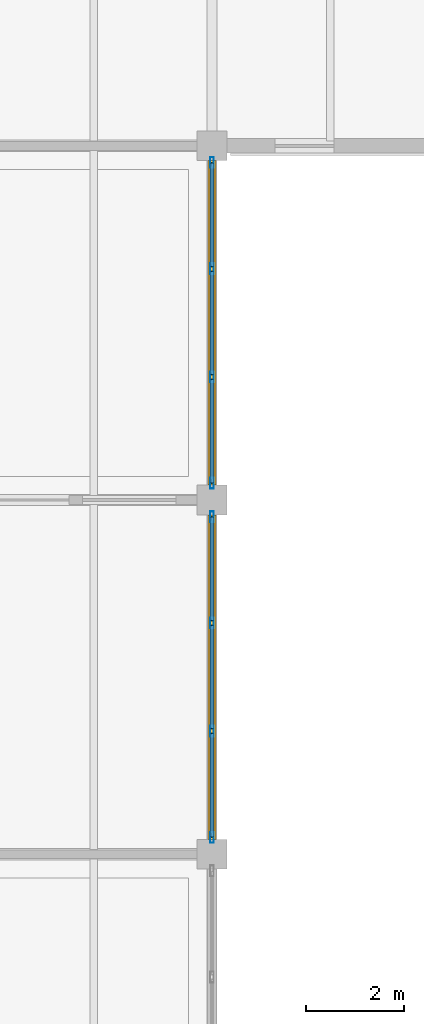
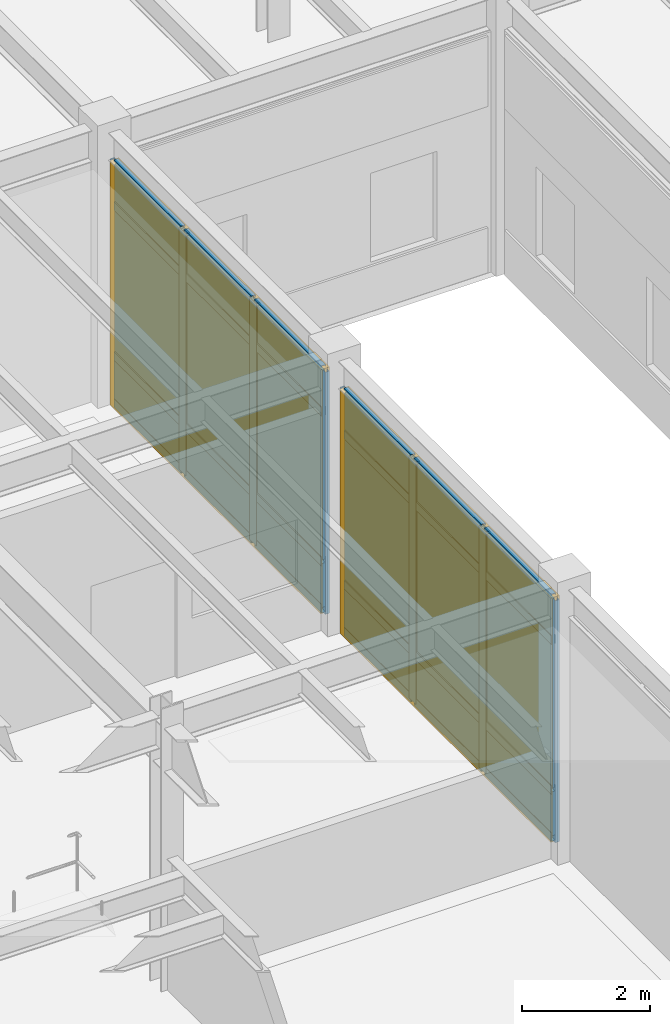
# One storey, part 57 of 97: 32 members, 12 plates, 2 curtain walls.
"""IFC4 building model written with IfcOpenShell, lengths in metres."""

from ifc_helpers import new_model, si_unit, direction, frame, origin, origin_2d, place, context, subcontext, project, spatial, rectangle, hollow_rectangle, extrude, material, layer, layer_set, material_profile, profile_set, type_object, element, aggregate, save


model = new_model("IFC4")

# Units and contexts
model_context = context("Model", 3, precision=1e-05, world=origin(), true_north=direction((0.0, 1.0)))
body_context = subcontext(model_context, "Body", "Model", "MODEL_VIEW")
ifc_project = project(units=[si_unit("LENGTHUNIT", "METRE"), si_unit("AREAUNIT", "SQUARE_METRE"), si_unit("VOLUMEUNIT", "CUBIC_METRE"), si_unit("PLANEANGLEUNIT", "RADIAN"), si_unit("MASSUNIT", "GRAM", prefix="KILO")], contexts=[model_context])

# Member
ifc_material_1 = material(Name="Anodized Aluminium 6063-T6", Category="aluminium")
ifc_material_profile_1 = material_profile(ifc_material_1, hollow_rectangle(XDim=0.074951171875, YDim=0.219970703125, WallThickness=0.0048828125, at=origin_2d()), Name="ALU 75x220x5")
ifc_profile_set_1 = profile_set([ifc_material_profile_1], Name="Anodized Aluminium 6063-T6")
member_type_1 = type_object("IfcMemberType", Name="CWM-75X180", PredefinedType="MULLION", material=ifc_profile_set_1)
site_placement = place(None, origin())
building_placement = place(site_placement, origin())
storey_placement = place(building_placement, origin())
member_1_placement = place(storey_placement, frame((115.199951171875, 21.260009765625, 0.02001953125), z_axis=(0.0, 0.0, 1.0), x_axis=(1.0, 0.0, 0.0)))
member_1 = element("IfcMember", 1, at=member_1_placement, type_object=member_type_1, Name="Curtain wall mullion CW-L01-15-02-E-00", PredefinedType="MULLION", context=body_context, shape_type="SweptSolid", body=[
    extrude(hollow_rectangle(XDim=0.074951171875, YDim=0.219970703125, WallThickness=0.0048828125, at=origin_2d()), origin(), (0.0, 0.0, 1.0), 4.626953125),
])

member_2_placement = place(storey_placement, frame((115.199951171875, 19.10009765625, 0.02001953125), z_axis=(0.0, 0.0, 1.0), x_axis=(1.0, 0.0, 0.0)))
member_2 = element("IfcMember", 2, at=member_2_placement, type_object=member_type_1, Name="Curtain wall mullion CW-L01-15-02-E-01", PredefinedType="MULLION", context=body_context, shape_type="SweptSolid", body=[
    extrude(hollow_rectangle(XDim=0.074951171875, YDim=0.219970703125, WallThickness=0.0048828125, at=origin_2d()), origin(), (0.0, 0.0, 1.0), 4.626953125),
])

member_3_placement = place(storey_placement, frame((115.199951171875, 16.89990234375, 0.02001953125), z_axis=(0.0, 0.0, 1.0), x_axis=(1.0, 0.0, 0.0)))
member_3 = element("IfcMember", 3, at=member_3_placement, type_object=member_type_1, Name="Curtain wall mullion CW-L01-15-02-E-02", PredefinedType="MULLION", context=body_context, shape_type="SweptSolid", body=[
    extrude(hollow_rectangle(XDim=0.074951171875, YDim=0.219970703125, WallThickness=0.0048828125, at=origin_2d()), origin(), (0.0, 0.0, 1.0), 4.626953125),
])

member_4_placement = place(storey_placement, frame((115.199951171875, 14.739990234375, 0.02001953125), z_axis=(0.0, 0.0, 1.0), x_axis=(1.0, 0.0, 0.0)))
member_4 = element("IfcMember", 4, at=member_4_placement, type_object=member_type_1, Name="Curtain wall mullion CW-L01-15-02-E-03", PredefinedType="MULLION", context=body_context, shape_type="SweptSolid", body=[
    extrude(hollow_rectangle(XDim=0.074951171875, YDim=0.219970703125, WallThickness=0.0048828125, at=origin_2d()), origin(), (0.0, 0.0, 1.0), 4.626953125),
])

member_5_placement = place(storey_placement, frame((115.199951171875, 28.4599609375, 0.02001953125), z_axis=(0.0, 0.0, 1.0), x_axis=(1.0, 0.0, 0.0)))
member_5 = element("IfcMember", 5, at=member_5_placement, type_object=member_type_1, Name="Curtain wall mullion CW-L01-15-03-E-00", PredefinedType="MULLION", context=body_context, shape_type="SweptSolid", body=[
    extrude(hollow_rectangle(XDim=0.074951171875, YDim=0.219970703125, WallThickness=0.0048828125, at=origin_2d()), origin(), (0.0, 0.0, 1.0), 4.626953125),
])

member_6_placement = place(storey_placement, frame((115.199951171875, 26.300048828125, 0.02001953125), z_axis=(0.0, 0.0, 1.0), x_axis=(1.0, 0.0, 0.0)))
member_6 = element("IfcMember", 6, at=member_6_placement, type_object=member_type_1, Name="Curtain wall mullion CW-L01-15-03-E-01", PredefinedType="MULLION", context=body_context, shape_type="SweptSolid", body=[
    extrude(hollow_rectangle(XDim=0.074951171875, YDim=0.219970703125, WallThickness=0.0048828125, at=origin_2d()), origin(), (0.0, 0.0, 1.0), 4.626953125),
])

member_7_placement = place(storey_placement, frame((115.199951171875, 24.10009765625, 0.02001953125), z_axis=(0.0, 0.0, 1.0), x_axis=(1.0, 0.0, 0.0)))
member_7 = element("IfcMember", 7, at=member_7_placement, type_object=member_type_1, Name="Curtain wall mullion CW-L01-15-03-E-02", PredefinedType="MULLION", context=body_context, shape_type="SweptSolid", body=[
    extrude(hollow_rectangle(XDim=0.074951171875, YDim=0.219970703125, WallThickness=0.0048828125, at=origin_2d()), origin(), (0.0, 0.0, 1.0), 4.626953125),
])

member_8_placement = place(storey_placement, frame((115.199951171875, 21.93994140625, 0.02001953125), z_axis=(0.0, 0.0, 1.0), x_axis=(1.0, 0.0, 0.0)))
member_8 = element("IfcMember", 8, at=member_8_placement, type_object=member_type_1, Name="Curtain wall mullion CW-L01-15-03-E-03", PredefinedType="MULLION", context=body_context, shape_type="SweptSolid", body=[
    extrude(hollow_rectangle(XDim=0.074951171875, YDim=0.219970703125, WallThickness=0.0048828125, at=origin_2d()), origin(), (0.0, 0.0, 1.0), 4.626953125),
])

ifc_material_profile_2 = material_profile(ifc_material_1, hollow_rectangle(XDim=0.074951171875, YDim=0.159912109375, WallThickness=0.00390625, at=origin_2d()), Name="ALU 75x160x4")
ifc_profile_set_2 = profile_set([ifc_material_profile_2], Name="Anodized Aluminium 6063-T6")
member_type_2 = type_object("IfcMemberType", Name="CWT-75X150", PredefinedType="USERDEFINED", material=ifc_profile_set_2)
member_9_placement = place(storey_placement, frame((115.199951171875, 21.25, 0.050048828125), z_axis=(0.0, -1.0, 0.0), x_axis=(1.0, 0.0, 0.0)))
member_9 = element("IfcMember", 9, at=member_9_placement, type_object=member_type_2, Name="Curtain wall transom CW-L01-15-02-E-1.01", ObjectType="TRANSOM", PredefinedType="USERDEFINED", context=body_context, shape_type="SweptSolid", body=[
    extrude(hollow_rectangle(XDim=0.074951171875, YDim=0.159912109375, WallThickness=0.00390625, at=origin_2d()), origin(), (0.0, 0.0, 1.0), 2.10009765625),
])

member_10_placement = place(storey_placement, frame((115.199951171875, 19.050048828125, 0.050048828125), z_axis=(0.0, -1.0, 0.0), x_axis=(1.0, 0.0, 0.0)))
member_10 = element("IfcMember", 10, at=member_10_placement, type_object=member_type_2, Name="Curtain wall transom CW-L01-15-02-E-1.02", ObjectType="TRANSOM", PredefinedType="USERDEFINED", context=body_context, shape_type="SweptSolid", body=[
    extrude(hollow_rectangle(XDim=0.074951171875, YDim=0.159912109375, WallThickness=0.00390625, at=origin_2d()), origin(), (0.0, 0.0, 1.0), 2.10009765625),
])

member_11_placement = place(storey_placement, frame((115.199951171875, 16.85009765625, 0.050048828125), z_axis=(0.0, -1.0, 0.0), x_axis=(1.0, 0.0, 0.0)))
member_11 = element("IfcMember", 11, at=member_11_placement, type_object=member_type_2, Name="Curtain wall transom CW-L01-15-02-E-1.03", ObjectType="TRANSOM", PredefinedType="USERDEFINED", context=body_context, shape_type="SweptSolid", body=[
    extrude(hollow_rectangle(XDim=0.074951171875, YDim=0.159912109375, WallThickness=0.00390625, at=origin_2d()), origin(), (0.0, 0.0, 1.0), 2.10009765625),
])

member_12_placement = place(storey_placement, frame((115.199951171875, 21.25, 0.949951171875), z_axis=(0.0, -1.0, 0.0), x_axis=(1.0, 0.0, 0.0)))
member_12 = element("IfcMember", 12, at=member_12_placement, type_object=member_type_2, Name="Curtain wall transom CW-L01-15-02-E-2.01", ObjectType="TRANSOM", PredefinedType="USERDEFINED", context=body_context, shape_type="SweptSolid", body=[
    extrude(hollow_rectangle(XDim=0.074951171875, YDim=0.159912109375, WallThickness=0.00390625, at=origin_2d()), origin(), (0.0, 0.0, 1.0), 2.10009765625),
])

member_13_placement = place(storey_placement, frame((115.199951171875, 19.050048828125, 0.949951171875), z_axis=(0.0, -1.0, 0.0), x_axis=(1.0, 0.0, 0.0)))
member_13 = element("IfcMember", 13, at=member_13_placement, type_object=member_type_2, Name="Curtain wall transom CW-L01-15-02-E-2.02", ObjectType="TRANSOM", PredefinedType="USERDEFINED", context=body_context, shape_type="SweptSolid", body=[
    extrude(hollow_rectangle(XDim=0.074951171875, YDim=0.159912109375, WallThickness=0.00390625, at=origin_2d()), origin(), (0.0, 0.0, 1.0), 2.10009765625),
])

member_14_placement = place(storey_placement, frame((115.199951171875, 16.85009765625, 0.949951171875), z_axis=(0.0, -1.0, 0.0), x_axis=(1.0, 0.0, 0.0)))
member_14 = element("IfcMember", 14, at=member_14_placement, type_object=member_type_2, Name="Curtain wall transom CW-L01-15-02-E-2.03", ObjectType="TRANSOM", PredefinedType="USERDEFINED", context=body_context, shape_type="SweptSolid", body=[
    extrude(hollow_rectangle(XDim=0.074951171875, YDim=0.159912109375, WallThickness=0.00390625, at=origin_2d()), origin(), (0.0, 0.0, 1.0), 2.10009765625),
])

member_15_placement = place(storey_placement, frame((115.199951171875, 21.25, 3.81689453125), z_axis=(0.0, -1.0, 0.0), x_axis=(1.0, 0.0, 0.0)))
member_15 = element("IfcMember", 15, at=member_15_placement, type_object=member_type_2, Name="Curtain wall transom CW-L01-15-02-E-3.01", ObjectType="TRANSOM", PredefinedType="USERDEFINED", context=body_context, shape_type="SweptSolid", body=[
    extrude(hollow_rectangle(XDim=0.074951171875, YDim=0.159912109375, WallThickness=0.00390625, at=origin_2d()), origin(), (0.0, 0.0, 1.0), 2.10009765625),
])

member_16_placement = place(storey_placement, frame((115.199951171875, 19.050048828125, 3.81689453125), z_axis=(0.0, -1.0, 0.0), x_axis=(1.0, 0.0, 0.0)))
member_16 = element("IfcMember", 16, at=member_16_placement, type_object=member_type_2, Name="Curtain wall transom CW-L01-15-02-E-3.02", ObjectType="TRANSOM", PredefinedType="USERDEFINED", context=body_context, shape_type="SweptSolid", body=[
    extrude(hollow_rectangle(XDim=0.074951171875, YDim=0.159912109375, WallThickness=0.00390625, at=origin_2d()), origin(), (0.0, 0.0, 1.0), 2.10009765625),
])

member_17_placement = place(storey_placement, frame((115.199951171875, 16.85009765625, 3.81689453125), z_axis=(0.0, -1.0, 0.0), x_axis=(1.0, 0.0, 0.0)))
member_17 = element("IfcMember", 17, at=member_17_placement, type_object=member_type_2, Name="Curtain wall transom CW-L01-15-02-E-3.03", ObjectType="TRANSOM", PredefinedType="USERDEFINED", context=body_context, shape_type="SweptSolid", body=[
    extrude(hollow_rectangle(XDim=0.074951171875, YDim=0.159912109375, WallThickness=0.00390625, at=origin_2d()), origin(), (0.0, 0.0, 1.0), 2.10009765625),
])

member_18_placement = place(storey_placement, frame((115.199951171875, 21.25, 4.616943359375), z_axis=(0.0, -1.0, 0.0), x_axis=(1.0, 0.0, 0.0)))
member_18 = element("IfcMember", 18, at=member_18_placement, type_object=member_type_2, Name="Curtain wall transom CW-L01-15-02-E-4.01", ObjectType="TRANSOM", PredefinedType="USERDEFINED", context=body_context, shape_type="SweptSolid", body=[
    extrude(hollow_rectangle(XDim=0.074951171875, YDim=0.159912109375, WallThickness=0.00390625, at=origin_2d()), origin(), (0.0, 0.0, 1.0), 2.10009765625),
])

member_19_placement = place(storey_placement, frame((115.199951171875, 19.050048828125, 4.616943359375), z_axis=(0.0, -1.0, 0.0), x_axis=(1.0, 0.0, 0.0)))
member_19 = element("IfcMember", 19, at=member_19_placement, type_object=member_type_2, Name="Curtain wall transom CW-L01-15-02-E-4.02", ObjectType="TRANSOM", PredefinedType="USERDEFINED", context=body_context, shape_type="SweptSolid", body=[
    extrude(hollow_rectangle(XDim=0.074951171875, YDim=0.159912109375, WallThickness=0.00390625, at=origin_2d()), origin(), (0.0, 0.0, 1.0), 2.10009765625),
])

member_20_placement = place(storey_placement, frame((115.199951171875, 16.85009765625, 4.616943359375), z_axis=(0.0, -1.0, 0.0), x_axis=(1.0, 0.0, 0.0)))
member_20 = element("IfcMember", 20, at=member_20_placement, type_object=member_type_2, Name="Curtain wall transom CW-L01-15-02-E-4.03", ObjectType="TRANSOM", PredefinedType="USERDEFINED", context=body_context, shape_type="SweptSolid", body=[
    extrude(hollow_rectangle(XDim=0.074951171875, YDim=0.159912109375, WallThickness=0.00390625, at=origin_2d()), origin(), (0.0, 0.0, 1.0), 2.10009765625),
])

member_21_placement = place(storey_placement, frame((115.199951171875, 28.449951171875, 0.050048828125), z_axis=(0.0, -1.0, 0.0), x_axis=(1.0, 0.0, 0.0)))
member_21 = element("IfcMember", 21, at=member_21_placement, type_object=member_type_2, Name="Curtain wall transom CW-L01-15-03-E-1.01", ObjectType="TRANSOM", PredefinedType="USERDEFINED", context=body_context, shape_type="SweptSolid", body=[
    extrude(hollow_rectangle(XDim=0.074951171875, YDim=0.159912109375, WallThickness=0.00390625, at=origin_2d()), origin(), (0.0, 0.0, 1.0), 2.099853515625),
])

member_22_placement = place(storey_placement, frame((115.199951171875, 26.25, 0.050048828125), z_axis=(0.0, -1.0, 0.0), x_axis=(1.0, 0.0, 0.0)))
member_22 = element("IfcMember", 22, at=member_22_placement, type_object=member_type_2, Name="Curtain wall transom CW-L01-15-03-E-1.02", ObjectType="TRANSOM", PredefinedType="USERDEFINED", context=body_context, shape_type="SweptSolid", body=[
    extrude(hollow_rectangle(XDim=0.074951171875, YDim=0.159912109375, WallThickness=0.00390625, at=origin_2d()), origin(), (0.0, 0.0, 1.0), 2.10009765625),
])

member_23_placement = place(storey_placement, frame((115.199951171875, 24.050048828125, 0.050048828125), z_axis=(0.0, -1.0, 0.0), x_axis=(1.0, 0.0, 0.0)))
member_23 = element("IfcMember", 23, at=member_23_placement, type_object=member_type_2, Name="Curtain wall transom CW-L01-15-03-E-1.03", ObjectType="TRANSOM", PredefinedType="USERDEFINED", context=body_context, shape_type="SweptSolid", body=[
    extrude(hollow_rectangle(XDim=0.074951171875, YDim=0.159912109375, WallThickness=0.00390625, at=origin_2d()), origin(), (0.0, 0.0, 1.0), 2.10009765625),
])

member_24_placement = place(storey_placement, frame((115.199951171875, 28.449951171875, 0.949951171875), z_axis=(0.0, -1.0, 0.0), x_axis=(1.0, 0.0, 0.0)))
member_24 = element("IfcMember", 24, at=member_24_placement, type_object=member_type_2, Name="Curtain wall transom CW-L01-15-03-E-2.01", ObjectType="TRANSOM", PredefinedType="USERDEFINED", context=body_context, shape_type="SweptSolid", body=[
    extrude(hollow_rectangle(XDim=0.074951171875, YDim=0.159912109375, WallThickness=0.00390625, at=origin_2d()), origin(), (0.0, 0.0, 1.0), 2.099853515625),
])

member_25_placement = place(storey_placement, frame((115.199951171875, 26.25, 0.949951171875), z_axis=(0.0, -1.0, 0.0), x_axis=(1.0, 0.0, 0.0)))
member_25 = element("IfcMember", 25, at=member_25_placement, type_object=member_type_2, Name="Curtain wall transom CW-L01-15-03-E-2.02", ObjectType="TRANSOM", PredefinedType="USERDEFINED", context=body_context, shape_type="SweptSolid", body=[
    extrude(hollow_rectangle(XDim=0.074951171875, YDim=0.159912109375, WallThickness=0.00390625, at=origin_2d()), origin(), (0.0, 0.0, 1.0), 2.10009765625),
])

member_26_placement = place(storey_placement, frame((115.199951171875, 24.050048828125, 0.949951171875), z_axis=(0.0, -1.0, 0.0), x_axis=(1.0, 0.0, 0.0)))
member_26 = element("IfcMember", 26, at=member_26_placement, type_object=member_type_2, Name="Curtain wall transom CW-L01-15-03-E-2.03", ObjectType="TRANSOM", PredefinedType="USERDEFINED", context=body_context, shape_type="SweptSolid", body=[
    extrude(hollow_rectangle(XDim=0.074951171875, YDim=0.159912109375, WallThickness=0.00390625, at=origin_2d()), origin(), (0.0, 0.0, 1.0), 2.10009765625),
])

member_27_placement = place(storey_placement, frame((115.199951171875, 28.449951171875, 3.81689453125), z_axis=(0.0, -1.0, 0.0), x_axis=(1.0, 0.0, 0.0)))
member_27 = element("IfcMember", 27, at=member_27_placement, type_object=member_type_2, Name="Curtain wall transom CW-L01-15-03-E-3.01", ObjectType="TRANSOM", PredefinedType="USERDEFINED", context=body_context, shape_type="SweptSolid", body=[
    extrude(hollow_rectangle(XDim=0.074951171875, YDim=0.159912109375, WallThickness=0.00390625, at=origin_2d()), origin(), (0.0, 0.0, 1.0), 2.099853515625),
])

member_28_placement = place(storey_placement, frame((115.199951171875, 26.25, 3.81689453125), z_axis=(0.0, -1.0, 0.0), x_axis=(1.0, 0.0, 0.0)))
member_28 = element("IfcMember", 28, at=member_28_placement, type_object=member_type_2, Name="Curtain wall transom CW-L01-15-03-E-3.02", ObjectType="TRANSOM", PredefinedType="USERDEFINED", context=body_context, shape_type="SweptSolid", body=[
    extrude(hollow_rectangle(XDim=0.074951171875, YDim=0.159912109375, WallThickness=0.00390625, at=origin_2d()), origin(), (0.0, 0.0, 1.0), 2.10009765625),
])

member_29_placement = place(storey_placement, frame((115.199951171875, 24.050048828125, 3.81689453125), z_axis=(0.0, -1.0, 0.0), x_axis=(1.0, 0.0, 0.0)))
member_29 = element("IfcMember", 29, at=member_29_placement, type_object=member_type_2, Name="Curtain wall transom CW-L01-15-03-E-3.03", ObjectType="TRANSOM", PredefinedType="USERDEFINED", context=body_context, shape_type="SweptSolid", body=[
    extrude(hollow_rectangle(XDim=0.074951171875, YDim=0.159912109375, WallThickness=0.00390625, at=origin_2d()), origin(), (0.0, 0.0, 1.0), 2.10009765625),
])

member_30_placement = place(storey_placement, frame((115.199951171875, 28.449951171875, 4.616943359375), z_axis=(0.0, -1.0, 0.0), x_axis=(1.0, 0.0, 0.0)))
member_30 = element("IfcMember", 30, at=member_30_placement, type_object=member_type_2, Name="Curtain wall transom CW-L01-15-03-E-4.01", ObjectType="TRANSOM", PredefinedType="USERDEFINED", context=body_context, shape_type="SweptSolid", body=[
    extrude(hollow_rectangle(XDim=0.074951171875, YDim=0.159912109375, WallThickness=0.00390625, at=origin_2d()), origin(), (0.0, 0.0, 1.0), 2.099853515625),
])

member_31_placement = place(storey_placement, frame((115.199951171875, 26.25, 4.616943359375), z_axis=(0.0, -1.0, 0.0), x_axis=(1.0, 0.0, 0.0)))
member_31 = element("IfcMember", 31, at=member_31_placement, type_object=member_type_2, Name="Curtain wall transom CW-L01-15-03-E-4.02", ObjectType="TRANSOM", PredefinedType="USERDEFINED", context=body_context, shape_type="SweptSolid", body=[
    extrude(hollow_rectangle(XDim=0.074951171875, YDim=0.159912109375, WallThickness=0.00390625, at=origin_2d()), origin(), (0.0, 0.0, 1.0), 2.10009765625),
])

member_32_placement = place(storey_placement, frame((115.199951171875, 24.050048828125, 4.616943359375), z_axis=(0.0, -1.0, 0.0), x_axis=(1.0, 0.0, 0.0)))
member_32 = element("IfcMember", 32, at=member_32_placement, type_object=member_type_2, Name="Curtain wall transom CW-L01-15-03-E-4.03", ObjectType="TRANSOM", PredefinedType="USERDEFINED", context=body_context, shape_type="SweptSolid", body=[
    extrude(hollow_rectangle(XDim=0.074951171875, YDim=0.159912109375, WallThickness=0.00390625, at=origin_2d()), origin(), (0.0, 0.0, 1.0), 2.10009765625),
])

# Plate
ifc_material_2 = material(Name="Acoustic Laminated Low-E Glazing", Category="glass")
ifc_layer_1 = layer(ifc_material_2, 0.0439453125)
ifc_layer_set_1 = layer_set([ifc_layer_1], Name="Acoustic Laminated Low-E Glazing")
plate_type_1 = type_object("IfcPlateType", Name="CWP-IGU-44", PredefinedType="CURTAIN_PANEL", material=ifc_layer_set_1)
plate_1_placement = place(storey_placement, frame((115.199951171875, 20.199951171875, 0.990234375), z_axis=(0.0, 0.0, 1.0), x_axis=(0.0, -1.0, 0.0)))
plate_1 = element("IfcPlate", 33, at=plate_1_placement, type_object=plate_type_1, Name="Curtain wall vision glazing CW-L01-15-02-E-01", PredefinedType="CURTAIN_PANEL", context=body_context, shape_type="SweptSolid", body=[
    extrude(rectangle(XDim=2.110107421875, YDim=0.0400390625, at=origin_2d()), origin(), (0.0, 0.0, 1.0), 3.616943359375),
])

plate_2_placement = place(storey_placement, frame((115.199951171875, 18.0, 0.990234375), z_axis=(0.0, 0.0, 1.0), x_axis=(0.0, -1.0, 0.0)))
plate_2 = element("IfcPlate", 34, at=plate_2_placement, type_object=plate_type_1, Name="Curtain wall vision glazing CW-L01-15-02-E-02", PredefinedType="CURTAIN_PANEL", context=body_context, shape_type="SweptSolid", body=[
    extrude(rectangle(XDim=2.110107421875, YDim=0.0400390625, at=origin_2d()), origin(), (0.0, 0.0, 1.0), 3.616943359375),
])

plate_3_placement = place(storey_placement, frame((115.199951171875, 15.800048828125, 0.990234375), z_axis=(0.0, 0.0, 1.0), x_axis=(0.0, -1.0, 0.0)))
plate_3 = element("IfcPlate", 35, at=plate_3_placement, type_object=plate_type_1, Name="Curtain wall vision glazing CW-L01-15-02-E-03", PredefinedType="CURTAIN_PANEL", context=body_context, shape_type="SweptSolid", body=[
    extrude(rectangle(XDim=2.110107421875, YDim=0.0400390625, at=origin_2d()), origin(), (0.0, 0.0, 1.0), 3.616943359375),
])

plate_4_placement = place(storey_placement, frame((115.199951171875, 27.39990234375, 0.990234375), z_axis=(0.0, 0.0, 1.0), x_axis=(0.0, -1.0, 0.0)))
plate_4 = element("IfcPlate", 36, at=plate_4_placement, type_object=plate_type_1, Name="Curtain wall vision glazing CW-L01-15-03-E-01", PredefinedType="CURTAIN_PANEL", context=body_context, shape_type="SweptSolid", body=[
    extrude(rectangle(XDim=2.110107421875, YDim=0.0400390625, at=origin_2d()), origin(), (0.0, 0.0, 1.0), 3.616943359375),
])

plate_5_placement = place(storey_placement, frame((115.199951171875, 25.199951171875, 0.990234375), z_axis=(0.0, 0.0, 1.0), x_axis=(0.0, -1.0, 0.0)))
plate_5 = element("IfcPlate", 37, at=plate_5_placement, type_object=plate_type_1, Name="Curtain wall vision glazing CW-L01-15-03-E-02", PredefinedType="CURTAIN_PANEL", context=body_context, shape_type="SweptSolid", body=[
    extrude(rectangle(XDim=2.110107421875, YDim=0.0400390625, at=origin_2d()), origin(), (0.0, 0.0, 1.0), 3.616943359375),
])

plate_6_placement = place(storey_placement, frame((115.199951171875, 23.0, 0.990234375), z_axis=(0.0, 0.0, 1.0), x_axis=(0.0, -1.0, 0.0)))
plate_6 = element("IfcPlate", 38, at=plate_6_placement, type_object=plate_type_1, Name="Curtain wall vision glazing CW-L01-15-03-E-03", PredefinedType="CURTAIN_PANEL", context=body_context, shape_type="SweptSolid", body=[
    extrude(rectangle(XDim=2.110107421875, YDim=0.0400390625, at=origin_2d()), origin(), (0.0, 0.0, 1.0), 3.616943359375),
])

ifc_material_3 = material(Name="Insulated Stone-Composite Spandrel", Category="masonry")
ifc_layer_2 = layer(ifc_material_3, 0.068115234375)
ifc_layer_set_2 = layer_set([ifc_layer_2], Name="Insulated Stone-Composite Spandrel")
plate_type_2 = type_object("IfcPlateType", Name="CWP-SPN-68", PredefinedType="CURTAIN_PANEL", material=ifc_layer_set_2)
plate_7_placement = place(storey_placement, frame((115.199951171875, 20.199951171875, 0.080078125), z_axis=(0.0, 0.0, 1.0), x_axis=(0.0, -1.0, 0.0)))
plate_7 = element("IfcPlate", 39, at=plate_7_placement, type_object=plate_type_2, Name="Curtain wall spandrel panel CW-L01-15-02-E-01", PredefinedType="CURTAIN_PANEL", context=body_context, shape_type="SweptSolid", body=[
    extrude(rectangle(XDim=2.110107421875, YDim=0.06005859375, at=origin_2d()), origin(), (0.0, 0.0, 1.0), 0.840087890625),
])

plate_8_placement = place(storey_placement, frame((115.199951171875, 18.0, 0.080078125), z_axis=(0.0, 0.0, 1.0), x_axis=(0.0, -1.0, 0.0)))
plate_8 = element("IfcPlate", 40, at=plate_8_placement, type_object=plate_type_2, Name="Curtain wall spandrel panel CW-L01-15-02-E-02", PredefinedType="CURTAIN_PANEL", context=body_context, shape_type="SweptSolid", body=[
    extrude(rectangle(XDim=2.110107421875, YDim=0.06005859375, at=origin_2d()), origin(), (0.0, 0.0, 1.0), 0.840087890625),
])

plate_9_placement = place(storey_placement, frame((115.199951171875, 15.800048828125, 0.080078125), z_axis=(0.0, 0.0, 1.0), x_axis=(0.0, -1.0, 0.0)))
plate_9 = element("IfcPlate", 41, at=plate_9_placement, type_object=plate_type_2, Name="Curtain wall spandrel panel CW-L01-15-02-E-03", PredefinedType="CURTAIN_PANEL", context=body_context, shape_type="SweptSolid", body=[
    extrude(rectangle(XDim=2.110107421875, YDim=0.06005859375, at=origin_2d()), origin(), (0.0, 0.0, 1.0), 0.840087890625),
])

plate_10_placement = place(storey_placement, frame((115.199951171875, 27.39990234375, 0.080078125), z_axis=(0.0, 0.0, 1.0), x_axis=(0.0, -1.0, 0.0)))
plate_10 = element("IfcPlate", 42, at=plate_10_placement, type_object=plate_type_2, Name="Curtain wall spandrel panel CW-L01-15-03-E-01", PredefinedType="CURTAIN_PANEL", context=body_context, shape_type="SweptSolid", body=[
    extrude(rectangle(XDim=2.110107421875, YDim=0.06005859375, at=origin_2d()), origin(), (0.0, 0.0, 1.0), 0.840087890625),
])

plate_11_placement = place(storey_placement, frame((115.199951171875, 25.199951171875, 0.080078125), z_axis=(0.0, 0.0, 1.0), x_axis=(0.0, -1.0, 0.0)))
plate_11 = element("IfcPlate", 43, at=plate_11_placement, type_object=plate_type_2, Name="Curtain wall spandrel panel CW-L01-15-03-E-02", PredefinedType="CURTAIN_PANEL", context=body_context, shape_type="SweptSolid", body=[
    extrude(rectangle(XDim=2.110107421875, YDim=0.06005859375, at=origin_2d()), origin(), (0.0, 0.0, 1.0), 0.840087890625),
])

plate_12_placement = place(storey_placement, frame((115.199951171875, 23.0, 0.080078125), z_axis=(0.0, 0.0, 1.0), x_axis=(0.0, -1.0, 0.0)))
plate_12 = element("IfcPlate", 44, at=plate_12_placement, type_object=plate_type_2, Name="Curtain wall spandrel panel CW-L01-15-03-E-03", PredefinedType="CURTAIN_PANEL", context=body_context, shape_type="SweptSolid", body=[
    extrude(rectangle(XDim=2.110107421875, YDim=0.06005859375, at=origin_2d()), origin(), (0.0, 0.0, 1.0), 0.840087890625),
])

# Site, building, storey
site = spatial("IfcSite", under=ifc_project, at=site_placement, CompositionType="ELEMENT")
building = spatial("IfcBuilding", under=site, at=building_placement, Name="Sillqori Civic Hall", CompositionType="ELEMENT")
storey = spatial("IfcBuildingStorey", under=building, at=storey_placement, Name="L01", CompositionType="ELEMENT", Elevation=0.0)

# Curtain wall
ifc_material_4 = material(Name="Anodized Aluminium Curtain Wall System", Category="aluminium")
curtain_wall_type = type_object("IfcCurtainWallType", Name="CW-SF-480", PredefinedType="NOTDEFINED", material=ifc_material_4)
curtain_wall_1_placement = place(storey_placement, frame((115.199951171875, 18.0, 0.0), z_axis=(0.0, 0.0, 1.0), x_axis=(0.0, -1.0, 0.0)))
curtain_wall_1 = element("IfcCurtainWall", 45, at=curtain_wall_1_placement, inside=storey, type_object=curtain_wall_type, Name="L01 unitised curtain wall CW-L01-15-02-E", PredefinedType="NOTDEFINED", context=body_context, shape_type="SweptSolid", body=[
    extrude(rectangle(XDim=6.60009765625, YDim=0.159912109375, at=origin_2d()), origin(), (0.0, 0.0, 1.0), 4.6669921875),
])

aggregate(curtain_wall_1, [member_1, member_2, member_3, member_4, member_9, member_10, member_11, member_12, member_13, member_14, member_15, member_16, member_17, member_18, member_19, member_20, plate_7, plate_1, plate_8, plate_2, plate_9, plate_3])

curtain_wall_2_placement = place(storey_placement, frame((115.199951171875, 25.199951171875, 0.0), z_axis=(0.0, 0.0, 1.0), x_axis=(0.0, -1.0, 0.0)))
curtain_wall_2 = element("IfcCurtainWall", 46, at=curtain_wall_2_placement, inside=storey, type_object=curtain_wall_type, Name="L01 unitised curtain wall CW-L01-15-03-E", PredefinedType="NOTDEFINED", context=body_context, shape_type="SweptSolid", body=[
    extrude(rectangle(XDim=6.60009765625, YDim=0.159912109375, at=origin_2d()), origin(), (0.0, 0.0, 1.0), 4.6669921875),
])

aggregate(curtain_wall_2, [member_5, member_6, member_7, member_8, member_21, member_22, member_23, member_24, member_25, member_26, member_27, member_28, member_29, member_30, member_31, member_32, plate_10, plate_4, plate_11, plate_5, plate_12, plate_6])

save(model, "model.ifc")
